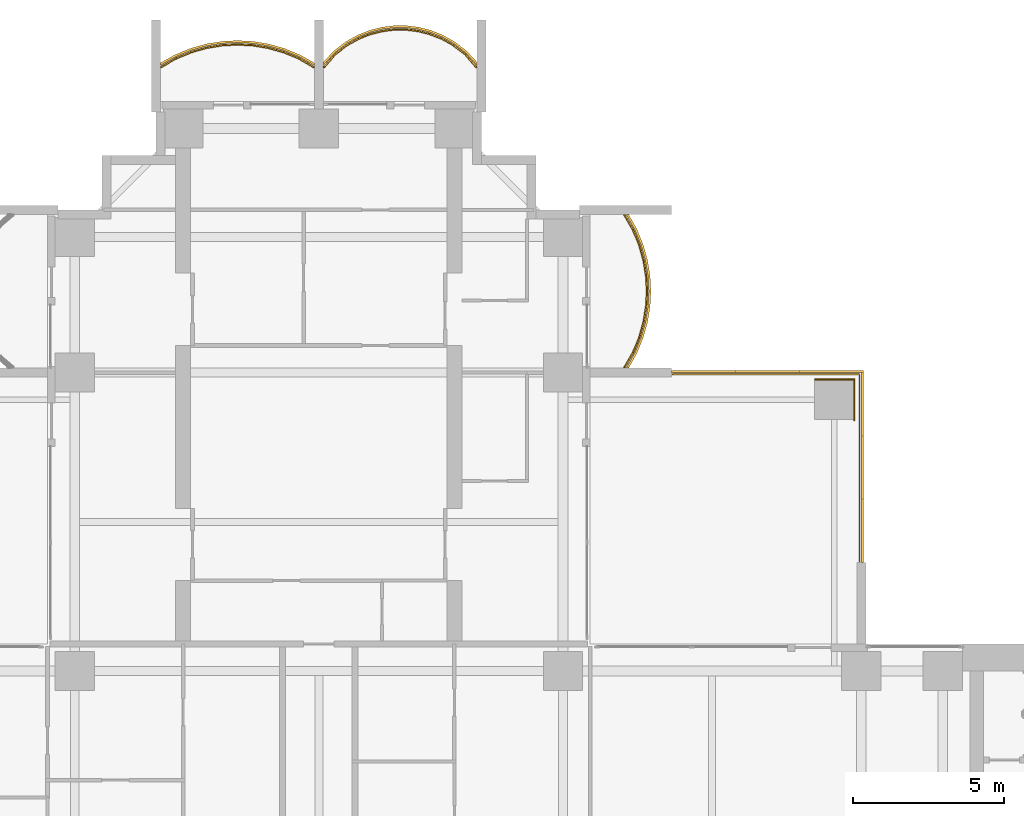
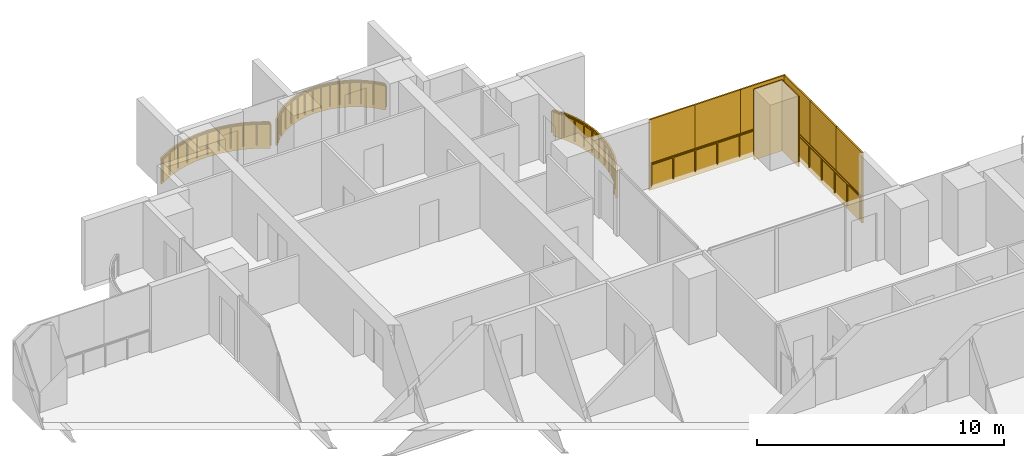
# One storey, part 21 of 21: 12 coverings, 4 railings.
"""IFC4 building model written with IfcOpenShell, lengths in metres."""

from ifc_helpers import new_model, si_unit, direction, frame, origin, origin_2d, place, context, subcontext, project, spatial, polyline, rectangle, outline, extrude, material, layer, layer_set, type_object, element, save


model = new_model("IFC4")

# Units and contexts
model_context = context("Model", 3, precision=1e-05, world=origin(), true_north=direction((0.0, 1.0)))
body_context = subcontext(model_context, "Body", "Model", "MODEL_VIEW")
ifc_project = project(units=[si_unit("LENGTHUNIT", "METRE"), si_unit("AREAUNIT", "SQUARE_METRE"), si_unit("VOLUMEUNIT", "CUBIC_METRE"), si_unit("PLANEANGLEUNIT", "RADIAN"), si_unit("MASSUNIT", "GRAM", prefix="KILO")], contexts=[model_context])

# Site, building, storey
site_placement = place(None, origin())
site = spatial("IfcSite", under=ifc_project, at=site_placement, CompositionType="ELEMENT")
building_placement = place(site_placement, origin())
building = spatial("IfcBuilding", under=site, at=building_placement, Name="Perihelion Cross Residences", CompositionType="ELEMENT")
storey_placement = place(building_placement, frame((0.0, 0.0, 43.5)))
storey = spatial("IfcBuildingStorey", under=building, at=storey_placement, Name="L07", CompositionType="ELEMENT", Elevation=43.5)

# Coverings
ifc_material_1 = material(Name="Bronze anodised aluminium", Category="aluminium")
ifc_layer_1 = layer(ifc_material_1, 0.070068359375)
ifc_layer_set_1 = layer_set([ifc_layer_1], Name="Balcony fascia 1300")
covering_type_1 = type_object("IfcCoveringType", Name="Balcony fascia 1300", PredefinedType="CLADDING", material=ifc_layer_set_1)
covering_1_placement = place(storey_placement, frame((0.0, 0.0, -0.199951171875)))
element("IfcCovering", 1, at=covering_1_placement, inside=storey, type_object=covering_type_1, Name="Fascia BF1 L07 north side east bay 2", PredefinedType="CLADDING", context=body_context, shape_type="SweptSolid", body=[
    extrude(outline(polyline([(10.54833984375, 18.629638671875), (10.7607421875, 19.147216796875), (10.906494140625, 19.664794921875), (10.991943359375, 20.182373046875), (11.02001953125, 20.699951171875), (10.991943359375, 21.217529296875), (10.906494140625, 21.735107421875), (10.7607421875, 22.2529296875), (10.54833984375, 22.7705078125), (10.2802734375, 23.25), (10.199951171875, 23.25), (10.4853515625, 22.739990234375), (10.694580078125, 22.22998046875), (10.838134765625, 21.719970703125), (10.92236328125, 21.2099609375), (10.949951171875, 20.699951171875), (10.92236328125, 20.18994140625), (10.838134765625, 19.679931640625), (10.694580078125, 19.169921875), (10.4853515625, 18.659912109375), (10.199951171875, 18.14990234375), (10.2802734375, 18.14990234375), (10.54833984375, 18.629638671875)])), origin(), (0.0, 0.0, 1.0), 1.300048828125),
])
covering_2_placement = place(storey_placement, frame((0.0, 0.0, -0.199951171875)))
element("IfcCovering", 2, at=covering_2_placement, inside=storey, type_object=covering_type_1, Name="Fascia BF1 L07 north tip north bay 1", PredefinedType="CLADDING", context=body_context, shape_type="SweptSolid", body=[
    extrude(outline(polyline([(4.90478515625, 28.674072265625), (4.50390625, 28.982666015625), (4.10302734375, 29.20654296875), (3.7021484375, 29.364013671875), (3.30126953125, 29.464599609375), (2.900390625, 29.513916015625), (2.49951171875, 29.513916015625), (2.0986328125, 29.464599609375), (1.69775390625, 29.364013671875), (1.296875, 29.20654296875), (0.89599609375, 28.982666015625), (0.4951171875, 28.674072265625), (0.14990234375, 28.302734375), (0.14990234375, 28.199951171875), (0.542236328125, 28.622314453125), (0.9345703125, 28.924072265625), (1.326904296875, 29.143310546875), (1.71923828125, 29.29736328125), (2.111572265625, 29.39599609375), (2.50390625, 29.444091796875), (2.896240234375, 29.444091796875), (3.28857421875, 29.39599609375), (3.6806640625, 29.29736328125), (4.072998046875, 29.143310546875), (4.46533203125, 28.924072265625), (4.857666015625, 28.622314453125), (5.25, 28.199951171875), (5.25, 28.302734375), (4.90478515625, 28.674072265625)])), origin(), (0.0, 0.0, 1.0), 1.300048828125),
])
covering_3_placement = place(storey_placement, frame((0.0, 0.0, -0.199951171875)))
element("IfcCovering", 3, at=covering_3_placement, inside=storey, type_object=covering_type_1, Name="Fascia BF1 L07 north tip north bay 2", PredefinedType="CLADDING", context=body_context, shape_type="SweptSolid", body=[
    extrude(outline(polyline([(-0.629638671875, 28.54833984375), (-1.147216796875, 28.7607421875), (-1.664794921875, 28.906494140625), (-2.182373046875, 28.991943359375), (-2.699951171875, 29.02001953125), (-3.217529296875, 28.991943359375), (-3.735107421875, 28.906494140625), (-4.2529296875, 28.7607421875), (-4.7705078125, 28.54833984375), (-5.25, 28.2802734375), (-5.25, 28.199951171875), (-4.739990234375, 28.4853515625), (-4.22998046875, 28.694580078125), (-3.719970703125, 28.838134765625), (-3.2099609375, 28.92236328125), (-2.699951171875, 28.949951171875), (-2.18994140625, 28.92236328125), (-1.679931640625, 28.838134765625), (-1.169921875, 28.694580078125), (-0.659912109375, 28.4853515625), (-0.14990234375, 28.199951171875), (-0.14990234375, 28.2802734375), (-0.629638671875, 28.54833984375)])), origin(), (0.0, 0.0, 1.0), 1.300048828125),
])

# Railings
ifc_material_2 = material(Name="Bronze anodised aluminium", Category="aluminium")
railing_type = type_object("IfcRailingType", Name="Balcony guard 1100", PredefinedType="GUARDRAIL", material=ifc_material_2)
railing_1_placement = place(storey_placement, frame((10.139892578125, 18.175048828125, 0.0)))
element("IfcRailing", 4, at=railing_1_placement, inside=storey, type_object=railing_type, Name="Guard GU1 L07 north side east bay 2 balcony", PredefinedType="GUARDRAIL", context=body_context, shape_type="SweptSolid", body=[
    extrude(rectangle(XDim=0.048095703125, YDim=0.048095703125, at=origin_2d()), frame((0.0, 0.0, 1.076171875), z_axis=(0.507266632806, 0.861789164031, 0.0), x_axis=(-0.861789164031, 0.507266632806, 0.0)), (0.0, 0.0, 1.0), 0.562744140625),
    extrude(rectangle(XDim=0.048095703125, YDim=0.048095703125, at=origin_2d()), frame((0.285400390625, 0.48486328125, 1.076171875), z_axis=(0.379546636342, 0.925172605972, 0.0), x_axis=(-0.925172605972, 0.379546636342, 0.0)), (0.0, 0.0, 1.0), 0.55126953125),
    extrude(rectangle(XDim=0.048095703125, YDim=0.048095703125, at=origin_2d()), frame((0.49462890625, 0.994873046875, 1.076171875), z_axis=(0.271372618732, 0.962474364231, 0.0), x_axis=(-0.962474364231, 0.271372618732, 0.0)), (0.0, 0.0, 1.0), 0.52978515625),
    extrude(rectangle(XDim=0.048095703125, YDim=0.048095703125, at=origin_2d()), frame((0.638427734375, 1.5048828125, 1.076171875), z_axis=(0.162483799314, 0.986711211531, 0.0), x_axis=(-0.986711211531, 0.162483799314, 0.0)), (0.0, 0.0, 1.0), 0.516845703125),
    extrude(rectangle(XDim=0.048095703125, YDim=0.048095703125, at=origin_2d()), frame((0.722412109375, 2.014892578125, 1.076171875), z_axis=(0.05401390175, 0.998540183677, 0.0), x_axis=(-0.998540183677, 0.05401390175, 0.0)), (0.0, 0.0, 1.0), 0.5107421875),
    extrude(rectangle(XDim=0.048095703125, YDim=0.048095703125, at=origin_2d()), frame((0.75, 2.52490234375, 1.076171875), z_axis=(-0.05401390175, 0.998540183677, 0.0), x_axis=(-0.998540183677, -0.05401390175, 0.0)), (0.0, 0.0, 1.0), 0.5107421875),
    extrude(rectangle(XDim=0.048095703125, YDim=0.048095703125, at=origin_2d()), frame((0.722412109375, 3.034912109375, 1.076171875), z_axis=(-0.162483799314, 0.986711211531, 0.0), x_axis=(-0.986711211531, -0.162483799314, 0.0)), (0.0, 0.0, 1.0), 0.516845703125),
    extrude(rectangle(XDim=0.048095703125, YDim=0.048095703125, at=origin_2d()), frame((0.638427734375, 3.544921875, 1.076171875), z_axis=(-0.271372618732, 0.962474364231, 0.0), x_axis=(-0.962474364231, -0.271372618732, 0.0)), (0.0, 0.0, 1.0), 0.52978515625),
    extrude(rectangle(XDim=0.048095703125, YDim=0.048095703125, at=origin_2d()), frame((0.49462890625, 4.054931640625, 1.076171875), z_axis=(-0.379546636342, 0.925172605972, 0.0), x_axis=(-0.925172605972, -0.379546636342, 0.0)), (0.0, 0.0, 1.0), 0.55126953125),
    extrude(rectangle(XDim=0.048095703125, YDim=0.048095703125, at=origin_2d()), frame((0.285400390625, 4.56494140625, 1.076171875), z_axis=(-0.507076995033, 0.861900760591, 0.0), x_axis=(-0.861900760591, -0.507076995033, 0.0)), (0.0, 0.0, 1.0), 0.562744140625),
    extrude(rectangle(XDim=0.0419921875, YDim=0.0419921875, at=origin_2d()), origin(), (0.0, 0.0, 1.0), 1.052001953125),
    extrude(rectangle(XDim=0.0419921875, YDim=0.0419921875, at=origin_2d()), frame((0.285400390625, 0.48486328125, 0.0)), (0.0, 0.0, 1.0), 1.052001953125),
    extrude(rectangle(XDim=0.0419921875, YDim=0.0419921875, at=origin_2d()), frame((0.49462890625, 0.994873046875, 0.0)), (0.0, 0.0, 1.0), 1.052001953125),
    extrude(rectangle(XDim=0.0419921875, YDim=0.0419921875, at=origin_2d()), frame((0.638427734375, 1.5048828125, 0.0)), (0.0, 0.0, 1.0), 1.052001953125),
    extrude(rectangle(XDim=0.0419921875, YDim=0.0419921875, at=origin_2d()), frame((0.722412109375, 2.014892578125, 0.0)), (0.0, 0.0, 1.0), 1.052001953125),
    extrude(rectangle(XDim=0.0419921875, YDim=0.0419921875, at=origin_2d()), frame((0.75, 2.52490234375, 0.0)), (0.0, 0.0, 1.0), 1.052001953125),
    extrude(rectangle(XDim=0.0419921875, YDim=0.0419921875, at=origin_2d()), frame((0.722412109375, 3.034912109375, 0.0)), (0.0, 0.0, 1.0), 1.052001953125),
    extrude(rectangle(XDim=0.0419921875, YDim=0.0419921875, at=origin_2d()), frame((0.638427734375, 3.544921875, 0.0)), (0.0, 0.0, 1.0), 1.052001953125),
    extrude(rectangle(XDim=0.0419921875, YDim=0.0419921875, at=origin_2d()), frame((0.49462890625, 4.054931640625, 0.0)), (0.0, 0.0, 1.0), 1.052001953125),
    extrude(rectangle(XDim=0.0419921875, YDim=0.0419921875, at=origin_2d()), frame((0.285400390625, 4.56494140625, 0.0)), (0.0, 0.0, 1.0), 1.052001953125),
    extrude(rectangle(XDim=0.0419921875, YDim=0.0419921875, at=origin_2d()), frame((0.0, 5.050048828125, 0.0)), (0.0, 0.0, 1.0), 1.052001953125),
])
railing_2_placement = place(storey_placement, frame((5.22509765625, 28.139892578125, 0.0)))
element("IfcRailing", 5, at=railing_2_placement, inside=storey, type_object=railing_type, Name="Guard GU1 L07 north tip north bay 1 balcony", PredefinedType="GUARDRAIL", context=body_context, shape_type="SweptSolid", body=[
    extrude(rectangle(XDim=0.048095703125, YDim=0.048095703125, at=origin_2d()), frame((0.0, 0.0, 1.076171875), z_axis=(-0.656340655493, 0.754464673757, 0.0), x_axis=(-0.754464673757, -0.656340655493, 0.0)), (0.0, 0.0, 1.0), 0.559814453125),
    extrude(rectangle(XDim=0.048095703125, YDim=0.048095703125, at=origin_2d()), frame((-0.367431640625, 0.42236328125, 1.076171875), z_axis=(-0.792660660899, 0.60966308455, 0.0), x_axis=(-0.60966308455, -0.792660660899, 0.0)), (0.0, 0.0, 1.0), 0.494873046875),
    extrude(rectangle(XDim=0.048095703125, YDim=0.048095703125, at=origin_2d()), frame((-0.759765625, 0.72412109375, 1.076171875), z_axis=(-0.872950285698, 0.487809182674, 0.0), x_axis=(-0.487809182674, -0.872950285698, 0.0)), (0.0, 0.0, 1.0), 0.449462890625),
    extrude(rectangle(XDim=0.048095703125, YDim=0.048095703125, at=origin_2d()), frame((-1.152099609375, 0.943359375, 1.076171875), z_axis=(-0.930814842219, 0.365491079925, 0.0), x_axis=(-0.365491079925, -0.930814842219, 0.0)), (0.0, 0.0, 1.0), 0.42138671875),
    extrude(rectangle(XDim=0.048095703125, YDim=0.048095703125, at=origin_2d()), frame((-1.54443359375, 1.097412109375, 1.076171875), z_axis=(-0.969786252666, 0.243956193074, 0.0), x_axis=(-0.243956193074, -0.969786252666, 0.0)), (0.0, 0.0, 1.0), 0.404296875),
    extrude(rectangle(XDim=0.048095703125, YDim=0.048095703125, at=origin_2d()), frame((-1.9365234375, 1.196044921875, 1.076171875), z_axis=(-0.992569651699, 0.121677797999, 0.0), x_axis=(-0.121677797999, -0.992569651699, 0.0)), (0.0, 0.0, 1.0), 0.395263671875),
    extrude(rectangle(XDim=0.048095703125, YDim=0.048095703125, at=origin_2d()), frame((-2.328857421875, 1.244140625, 1.076171875), z_axis=(-1.0, 0.0, 0.0), x_axis=(0.0, -1.0, 0.0)), (0.0, 0.0, 1.0), 0.392333984375),
    extrude(rectangle(XDim=0.048095703125, YDim=0.048095703125, at=origin_2d()), frame((-2.72119140625, 1.244140625, 1.076171875), z_axis=(-0.992569651699, -0.121677797999, 0.0), x_axis=(0.121677797999, -0.992569651699, 0.0)), (0.0, 0.0, 1.0), 0.395263671875),
    extrude(rectangle(XDim=0.048095703125, YDim=0.048095703125, at=origin_2d()), frame((-3.113525390625, 1.196044921875, 1.076171875), z_axis=(-0.969822159145, -0.243813411509, 0.0), x_axis=(0.243813411509, -0.969822159145, 0.0)), (0.0, 0.0, 1.0), 0.404541015625),
    extrude(rectangle(XDim=0.048095703125, YDim=0.048095703125, at=origin_2d()), frame((-3.505859375, 1.097412109375, 1.076171875), z_axis=(-0.930814842219, -0.365491079925, 0.0), x_axis=(0.365491079925, -0.930814842219, 0.0)), (0.0, 0.0, 1.0), 0.42138671875),
    extrude(rectangle(XDim=0.048095703125, YDim=0.048095703125, at=origin_2d()), frame((-3.898193359375, 0.943359375, 1.076171875), z_axis=(-0.872950285698, -0.487809182674, 0.0), x_axis=(0.487809182674, -0.872950285698, 0.0)), (0.0, 0.0, 1.0), 0.449462890625),
    extrude(rectangle(XDim=0.048095703125, YDim=0.048095703125, at=origin_2d()), frame((-4.29052734375, 0.72412109375, 1.076171875), z_axis=(-0.792660660899, -0.60966308455, 0.0), x_axis=(0.60966308455, -0.792660660899, 0.0)), (0.0, 0.0, 1.0), 0.494873046875),
    extrude(rectangle(XDim=0.048095703125, YDim=0.048095703125, at=origin_2d()), frame((-4.682861328125, 0.42236328125, 1.076171875), z_axis=(-0.656092309534, -0.754680648599, 0.0), x_axis=(0.754680648599, -0.656092309534, 0.0)), (0.0, 0.0, 1.0), 0.5595703125),
    extrude(rectangle(XDim=0.0419921875, YDim=0.0419921875, at=origin_2d()), origin(), (0.0, 0.0, 1.0), 1.052001953125),
    extrude(rectangle(XDim=0.0419921875, YDim=0.0419921875, at=origin_2d()), frame((-0.367431640625, 0.42236328125, 0.0)), (0.0, 0.0, 1.0), 1.052001953125),
    extrude(rectangle(XDim=0.0419921875, YDim=0.0419921875, at=origin_2d()), frame((-0.759765625, 0.72412109375, 0.0)), (0.0, 0.0, 1.0), 1.052001953125),
    extrude(rectangle(XDim=0.0419921875, YDim=0.0419921875, at=origin_2d()), frame((-1.152099609375, 0.943359375, 0.0)), (0.0, 0.0, 1.0), 1.052001953125),
    extrude(rectangle(XDim=0.0419921875, YDim=0.0419921875, at=origin_2d()), frame((-1.54443359375, 1.097412109375, 0.0)), (0.0, 0.0, 1.0), 1.052001953125),
    extrude(rectangle(XDim=0.0419921875, YDim=0.0419921875, at=origin_2d()), frame((-1.9365234375, 1.196044921875, 0.0)), (0.0, 0.0, 1.0), 1.052001953125),
    extrude(rectangle(XDim=0.0419921875, YDim=0.0419921875, at=origin_2d()), frame((-2.328857421875, 1.244140625, 0.0)), (0.0, 0.0, 1.0), 1.052001953125),
    extrude(rectangle(XDim=0.0419921875, YDim=0.0419921875, at=origin_2d()), frame((-2.72119140625, 1.244140625, 0.0)), (0.0, 0.0, 1.0), 1.052001953125),
    extrude(rectangle(XDim=0.0419921875, YDim=0.0419921875, at=origin_2d()), frame((-3.113525390625, 1.196044921875, 0.0)), (0.0, 0.0, 1.0), 1.052001953125),
    extrude(rectangle(XDim=0.0419921875, YDim=0.0419921875, at=origin_2d()), frame((-3.505859375, 1.097412109375, 0.0)), (0.0, 0.0, 1.0), 1.052001953125),
    extrude(rectangle(XDim=0.0419921875, YDim=0.0419921875, at=origin_2d()), frame((-3.898193359375, 0.943359375, 0.0)), (0.0, 0.0, 1.0), 1.052001953125),
    extrude(rectangle(XDim=0.0419921875, YDim=0.0419921875, at=origin_2d()), frame((-4.29052734375, 0.72412109375, 0.0)), (0.0, 0.0, 1.0), 1.052001953125),
    extrude(rectangle(XDim=0.0419921875, YDim=0.0419921875, at=origin_2d()), frame((-4.682861328125, 0.42236328125, 0.0)), (0.0, 0.0, 1.0), 1.052001953125),
    extrude(rectangle(XDim=0.0419921875, YDim=0.0419921875, at=origin_2d()), frame((-5.050048828125, 0.0, 0.0)), (0.0, 0.0, 1.0), 1.052001953125),
])
railing_3_placement = place(storey_placement, frame((-0.175048828125, 28.139892578125, 0.0)))
element("IfcRailing", 6, at=railing_3_placement, inside=storey, type_object=railing_type, Name="Guard GU1 L07 north tip north bay 2 balcony", PredefinedType="GUARDRAIL", context=body_context, shape_type="SweptSolid", body=[
    extrude(rectangle(XDim=0.048095703125, YDim=0.048095703125, at=origin_2d()), frame((0.0, 0.0, 1.076171875), z_axis=(-0.861789164031, 0.507266632806, 0.0), x_axis=(-0.507266632806, -0.861789164031, 0.0)), (0.0, 0.0, 1.0), 0.562744140625),
    extrude(rectangle(XDim=0.048095703125, YDim=0.048095703125, at=origin_2d()), frame((-0.48486328125, 0.285400390625, 1.076171875), z_axis=(-0.925172605972, 0.379546636342, 0.0), x_axis=(-0.379546636342, -0.925172605972, 0.0)), (0.0, 0.0, 1.0), 0.55126953125),
    extrude(rectangle(XDim=0.048095703125, YDim=0.048095703125, at=origin_2d()), frame((-0.994873046875, 0.49462890625, 1.076171875), z_axis=(-0.962474364231, 0.271372618732, 0.0), x_axis=(-0.271372618732, -0.962474364231, 0.0)), (0.0, 0.0, 1.0), 0.52978515625),
    extrude(rectangle(XDim=0.048095703125, YDim=0.048095703125, at=origin_2d()), frame((-1.5048828125, 0.638427734375, 1.076171875), z_axis=(-0.986711211531, 0.162483799314, 0.0), x_axis=(-0.162483799314, -0.986711211531, 0.0)), (0.0, 0.0, 1.0), 0.516845703125),
    extrude(rectangle(XDim=0.048095703125, YDim=0.048095703125, at=origin_2d()), frame((-2.014892578125, 0.722412109375, 1.076171875), z_axis=(-0.998540183677, 0.05401390175, 0.0), x_axis=(-0.05401390175, -0.998540183677, 0.0)), (0.0, 0.0, 1.0), 0.5107421875),
    extrude(rectangle(XDim=0.048095703125, YDim=0.048095703125, at=origin_2d()), frame((-2.52490234375, 0.75, 1.076171875), z_axis=(-0.998540183677, -0.05401390175, 0.0), x_axis=(0.05401390175, -0.998540183677, 0.0)), (0.0, 0.0, 1.0), 0.5107421875),
    extrude(rectangle(XDim=0.048095703125, YDim=0.048095703125, at=origin_2d()), frame((-3.034912109375, 0.722412109375, 1.076171875), z_axis=(-0.986711211531, -0.162483799314, 0.0), x_axis=(0.162483799314, -0.986711211531, 0.0)), (0.0, 0.0, 1.0), 0.516845703125),
    extrude(rectangle(XDim=0.048095703125, YDim=0.048095703125, at=origin_2d()), frame((-3.544921875, 0.638427734375, 1.076171875), z_axis=(-0.962474364231, -0.271372618732, 0.0), x_axis=(0.271372618732, -0.962474364231, 0.0)), (0.0, 0.0, 1.0), 0.52978515625),
    extrude(rectangle(XDim=0.048095703125, YDim=0.048095703125, at=origin_2d()), frame((-4.054931640625, 0.49462890625, 1.076171875), z_axis=(-0.925172605972, -0.379546636342, 0.0), x_axis=(0.379546636342, -0.925172605972, 0.0)), (0.0, 0.0, 1.0), 0.55126953125),
    extrude(rectangle(XDim=0.048095703125, YDim=0.048095703125, at=origin_2d()), frame((-4.56494140625, 0.285400390625, 1.076171875), z_axis=(-0.861900760591, -0.507076995033, 0.0), x_axis=(0.507076995033, -0.861900760591, 0.0)), (0.0, 0.0, 1.0), 0.562744140625),
    extrude(rectangle(XDim=0.0419921875, YDim=0.0419921875, at=origin_2d()), origin(), (0.0, 0.0, 1.0), 1.052001953125),
    extrude(rectangle(XDim=0.0419921875, YDim=0.0419921875, at=origin_2d()), frame((-0.48486328125, 0.285400390625, 0.0)), (0.0, 0.0, 1.0), 1.052001953125),
    extrude(rectangle(XDim=0.0419921875, YDim=0.0419921875, at=origin_2d()), frame((-0.994873046875, 0.49462890625, 0.0)), (0.0, 0.0, 1.0), 1.052001953125),
    extrude(rectangle(XDim=0.0419921875, YDim=0.0419921875, at=origin_2d()), frame((-1.5048828125, 0.638427734375, 0.0)), (0.0, 0.0, 1.0), 1.052001953125),
    extrude(rectangle(XDim=0.0419921875, YDim=0.0419921875, at=origin_2d()), frame((-2.014892578125, 0.722412109375, 0.0)), (0.0, 0.0, 1.0), 1.052001953125),
    extrude(rectangle(XDim=0.0419921875, YDim=0.0419921875, at=origin_2d()), frame((-2.52490234375, 0.75, 0.0)), (0.0, 0.0, 1.0), 1.052001953125),
    extrude(rectangle(XDim=0.0419921875, YDim=0.0419921875, at=origin_2d()), frame((-3.034912109375, 0.722412109375, 0.0)), (0.0, 0.0, 1.0), 1.052001953125),
    extrude(rectangle(XDim=0.0419921875, YDim=0.0419921875, at=origin_2d()), frame((-3.544921875, 0.638427734375, 0.0)), (0.0, 0.0, 1.0), 1.052001953125),
    extrude(rectangle(XDim=0.0419921875, YDim=0.0419921875, at=origin_2d()), frame((-4.054931640625, 0.49462890625, 0.0)), (0.0, 0.0, 1.0), 1.052001953125),
    extrude(rectangle(XDim=0.0419921875, YDim=0.0419921875, at=origin_2d()), frame((-4.56494140625, 0.285400390625, 0.0)), (0.0, 0.0, 1.0), 1.052001953125),
    extrude(rectangle(XDim=0.0419921875, YDim=0.0419921875, at=origin_2d()), frame((-5.050048828125, 0.0, 0.0)), (0.0, 0.0, 1.0), 1.052001953125),
])
railing_4_placement = place(storey_placement, frame((11.739990234375, 17.93994140625, 0.0)))
element("IfcRailing", 7, at=railing_4_placement, inside=storey, type_object=railing_type, Name="Guard GU1 L07 pocket north-east 1", PredefinedType="GUARDRAIL", context=body_context, shape_type="SweptSolid", body=[
    extrude(rectangle(XDim=0.048095703125, YDim=0.048095703125, at=origin_2d()), frame((0.0, 0.0, 1.076171875), z_axis=(1.0, 0.0, 0.0), x_axis=(0.0, 1.0, 0.0)), (0.0, 0.0, 1.0), 6.199951171875),
    extrude(rectangle(XDim=0.048095703125, YDim=0.048095703125, at=origin_2d()), frame((6.199951171875, 0.0, 1.076171875), z_axis=(0.0, -1.0, 0.0), x_axis=(1.0, 0.0, 0.0)), (0.0, 0.0, 1.0), 6.199951171875),
    extrude(rectangle(XDim=0.0419921875, YDim=0.0419921875, at=origin_2d()), origin(), (0.0, 0.0, 1.0), 1.052001953125),
    extrude(rectangle(XDim=0.0419921875, YDim=0.0419921875, at=origin_2d()), frame((1.033203125, 0.0, 0.0)), (0.0, 0.0, 1.0), 1.052001953125),
    extrude(rectangle(XDim=0.0419921875, YDim=0.0419921875, at=origin_2d()), frame((2.066650390625, 0.0, 0.0)), (0.0, 0.0, 1.0), 1.052001953125),
    extrude(rectangle(XDim=0.0419921875, YDim=0.0419921875, at=origin_2d()), frame((3.10009765625, 0.0, 0.0)), (0.0, 0.0, 1.0), 1.052001953125),
    extrude(rectangle(XDim=0.0419921875, YDim=0.0419921875, at=origin_2d()), frame((4.13330078125, 0.0, 0.0)), (0.0, 0.0, 1.0), 1.052001953125),
    extrude(rectangle(XDim=0.0419921875, YDim=0.0419921875, at=origin_2d()), frame((5.16650390625, 0.0, 0.0)), (0.0, 0.0, 1.0), 1.052001953125),
    extrude(rectangle(XDim=0.0419921875, YDim=0.0419921875, at=origin_2d()), frame((6.199951171875, 0.0, 0.0)), (0.0, 0.0, 1.0), 1.052001953125),
    extrude(rectangle(XDim=0.0419921875, YDim=0.0419921875, at=origin_2d()), frame((6.199951171875, -1.033203125, 0.0)), (0.0, 0.0, 1.0), 1.052001953125),
    extrude(rectangle(XDim=0.0419921875, YDim=0.0419921875, at=origin_2d()), frame((6.199951171875, -2.066650390625, 0.0)), (0.0, 0.0, 1.0), 1.052001953125),
    extrude(rectangle(XDim=0.0419921875, YDim=0.0419921875, at=origin_2d()), frame((6.199951171875, -3.10009765625, 0.0)), (0.0, 0.0, 1.0), 1.052001953125),
    extrude(rectangle(XDim=0.0419921875, YDim=0.0419921875, at=origin_2d()), frame((6.199951171875, -4.13330078125, 0.0)), (0.0, 0.0, 1.0), 1.052001953125),
    extrude(rectangle(XDim=0.0419921875, YDim=0.0419921875, at=origin_2d()), frame((6.199951171875, -5.16650390625, 0.0)), (0.0, 0.0, 1.0), 1.052001953125),
    extrude(rectangle(XDim=0.0419921875, YDim=0.0419921875, at=origin_2d()), frame((6.199951171875, -6.199951171875, 0.0)), (0.0, 0.0, 1.0), 1.052001953125),
])

# Coverings
ifc_material_3 = material(Name="Bronze anodised aluminium", Category="aluminium")
ifc_layer_2 = layer(ifc_material_3, 0.0400390625)
ifc_layer_set_2 = layer_set([ifc_layer_2], Name="Bronze column casing 40")
covering_type_2 = type_object("IfcCoveringType", Name="Bronze column casing 40", PredefinedType="CLADDING", material=ifc_layer_set_2)
covering_4_placement = place(storey_placement, frame((17.77001953125, 17.10009765625, -0.25), z_axis=(0.0, 0.0, 1.0), x_axis=(1.0, 0.0, 0.0)))
element("IfcCovering", 8, at=covering_4_placement, inside=storey, type_object=covering_type_2, Name="Cladding CC1 L07 casing east-west no. 4", PredefinedType="CLADDING", context=body_context, shape_type="SweptSolid", body=[
    extrude(rectangle(XDim=0.0400390625, YDim=1.3798828125, at=origin_2d()), origin(), (0.0, 0.0, 1.0), 3.5),
])
covering_5_placement = place(storey_placement, frame((17.10009765625, 17.77001953125, -0.25), z_axis=(0.0, 0.0, 1.0), x_axis=(1.0, 0.0, 0.0)))
element("IfcCovering", 9, at=covering_5_placement, inside=storey, type_object=covering_type_2, Name="Cladding CC1 L07 casing north-south no. 4", PredefinedType="CLADDING", context=body_context, shape_type="SweptSolid", body=[
    extrude(rectangle(XDim=1.300048828125, YDim=0.0400390625, at=origin_2d()), origin(), (0.0, 0.0, 1.0), 3.5),
])
ifc_material_4 = material(Name="Bronze anodised aluminium", Category="aluminium")
ifc_layer_3 = layer(ifc_material_4, 0.070068359375)
ifc_layer_set_3 = layer_set([ifc_layer_3], Name="Pocket fascia 1350")
covering_type_3 = type_object("IfcCoveringType", Name="Pocket fascia 1350", PredefinedType="CLADDING", material=ifc_layer_set_3)
covering_6_placement = place(storey_placement, frame((0.0, 0.0, -0.25)))
element("IfcCovering", 10, at=covering_6_placement, inside=storey, type_object=covering_type_3, Name="Fascia BF2 L07 pocket north-east 3", PredefinedType="CLADDING", context=body_context, shape_type="SweptSolid", body=[
    extrude(outline(polyline([(18.070068359375, 18.070068359375), (11.699951171875, 18.070068359375), (11.699951171875, 18.0), (18.0, 18.0), (18.0, 11.699951171875), (18.070068359375, 11.699951171875), (18.070068359375, 18.070068359375)])), origin(), (0.0, 0.0, 1.0), 1.35009765625),
])
ifc_material_5 = material(Name="Bronze perforated aluminium", Category="aluminium")
ifc_layer_4 = layer(ifc_material_5, 0.070068359375)
ifc_layer_set_4 = layer_set([ifc_layer_4], Name="Pocket solar screen, bronze perforated")
covering_type_4 = type_object("IfcCoveringType", Name="Pocket solar screen, bronze perforated", PredefinedType="CLADDING", material=ifc_layer_set_4)
covering_7_placement = place(storey_placement, frame((0.0, 0.0, 1.10009765625)))
element("IfcCovering", 11, at=covering_7_placement, inside=storey, type_object=covering_type_4, Name="Solar screen PS1 L07 pocket north-east no. 1", PredefinedType="CLADDING", context=body_context, shape_type="SweptSolid", body=[
    extrude(outline(polyline([(18.070068359375, 11.699951171875), (18.070068359375, 13.800048828125), (18.0, 13.800048828125), (18.0, 11.699951171875), (18.070068359375, 11.699951171875)])), origin(), (0.0, 0.0, 1.0), 2.14990234375),
])
covering_8_placement = place(storey_placement, frame((0.0, 0.0, 1.10009765625)))
element("IfcCovering", 12, at=covering_8_placement, inside=storey, type_object=covering_type_4, Name="Solar screen PS1 L07 pocket north-east no. 2", PredefinedType="CLADDING", context=body_context, shape_type="SweptSolid", body=[
    extrude(outline(polyline([(18.070068359375, 13.800048828125), (18.070068359375, 15.89990234375), (18.0, 15.89990234375), (18.0, 13.800048828125), (18.070068359375, 13.800048828125)])), origin(), (0.0, 0.0, 1.0), 2.14990234375),
])
covering_9_placement = place(storey_placement, frame((0.0, 0.0, 1.10009765625)))
element("IfcCovering", 13, at=covering_9_placement, inside=storey, type_object=covering_type_4, Name="Solar screen PS1 L07 pocket north-east no. 3", PredefinedType="CLADDING", context=body_context, shape_type="SweptSolid", body=[
    extrude(outline(polyline([(18.070068359375, 15.89990234375), (18.070068359375, 18.0), (18.0, 18.0), (18.0, 15.89990234375), (18.070068359375, 15.89990234375)])), origin(), (0.0, 0.0, 1.0), 2.14990234375),
])
covering_10_placement = place(storey_placement, frame((0.0, 0.0, 1.10009765625)))
element("IfcCovering", 14, at=covering_10_placement, inside=storey, type_object=covering_type_4, Name="Solar screen PS1 L07 pocket north-east no. 4", PredefinedType="CLADDING", context=body_context, shape_type="SweptSolid", body=[
    extrude(outline(polyline([(13.8232421875, 18.0), (13.8232421875, 18.070068359375), (11.699951171875, 18.070068359375), (11.699951171875, 18.0), (13.8232421875, 18.0)])), origin(), (0.0, 0.0, 1.0), 2.14990234375),
])
covering_11_placement = place(storey_placement, frame((0.0, 0.0, 1.10009765625)))
element("IfcCovering", 15, at=covering_11_placement, inside=storey, type_object=covering_type_4, Name="Solar screen PS1 L07 pocket north-east no. 5", PredefinedType="CLADDING", context=body_context, shape_type="SweptSolid", body=[
    extrude(outline(polyline([(15.94677734375, 18.0), (15.94677734375, 18.070068359375), (13.8232421875, 18.070068359375), (13.8232421875, 18.0), (15.94677734375, 18.0)])), origin(), (0.0, 0.0, 1.0), 2.14990234375),
])
covering_12_placement = place(storey_placement, frame((0.0, 0.0, 1.10009765625)))
element("IfcCovering", 16, at=covering_12_placement, inside=storey, type_object=covering_type_4, Name="Solar screen PS1 L07 pocket north-east no. 6", PredefinedType="CLADDING", context=body_context, shape_type="SweptSolid", body=[
    extrude(outline(polyline([(18.070068359375, 18.0), (18.070068359375, 18.070068359375), (15.94677734375, 18.070068359375), (15.94677734375, 18.0), (18.070068359375, 18.0)])), origin(), (0.0, 0.0, 1.0), 2.14990234375),
])

save(model, "model.ifc")
